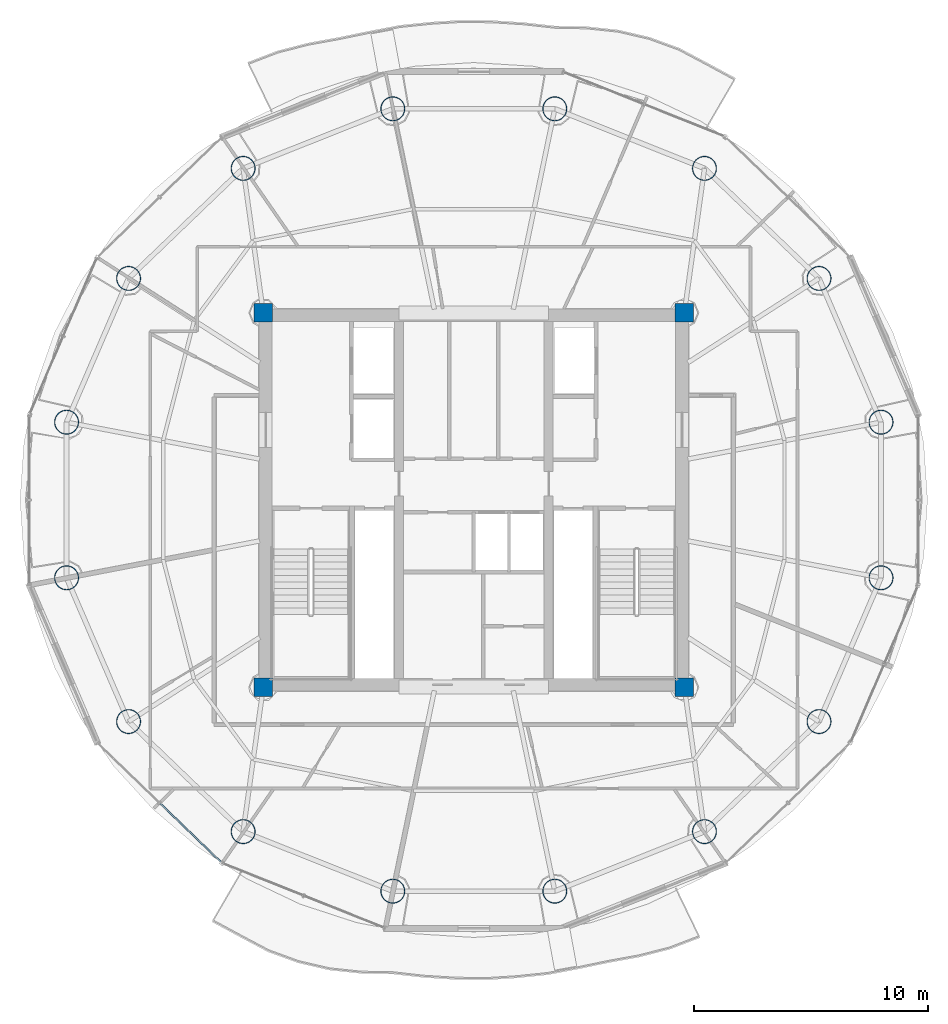
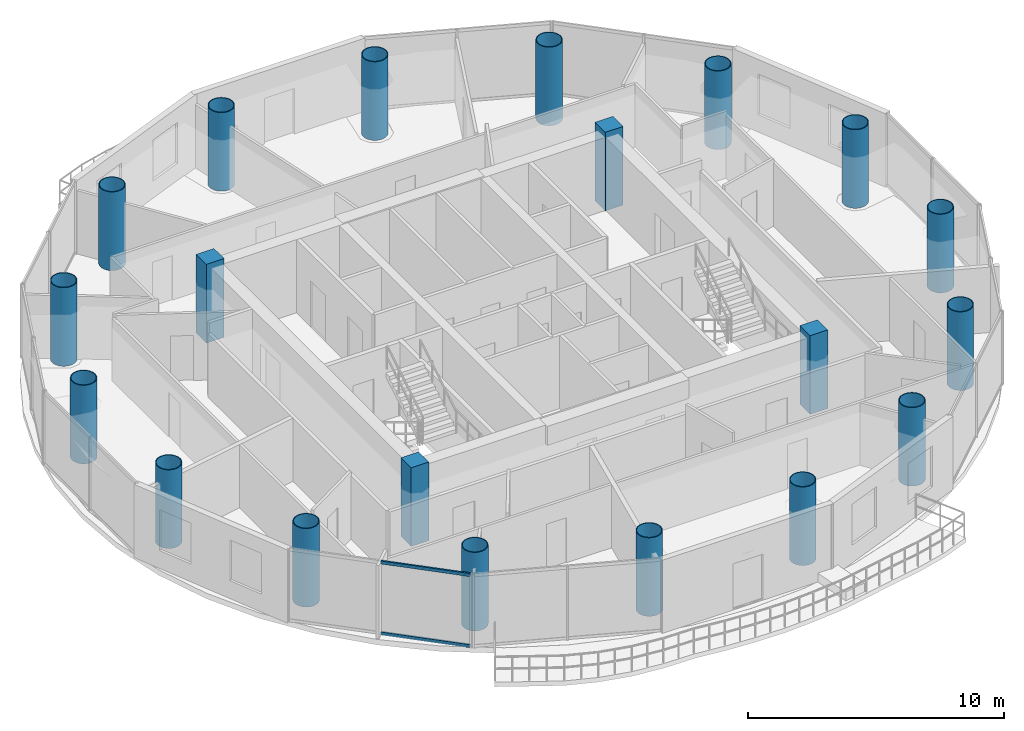
# One storey, part 1 of 23: 20 columns, 2 members, 1 element without a shape of its own.
"""IFC4 building model written with IfcOpenShell, lengths in metres."""

from ifc_helpers import new_model, si_unit, direction, frame, origin, origin_2d, place, context, subcontext, project, spatial, rectangle, hollow_rectangle, hollow_circle, extrude, source, transform, mapped, material, material_profile, profile_set, type_object, element, aggregate, save


model = new_model("IFC4")

# Units and contexts
model_context = context("Model", 3, precision=1e-05, world=origin(), true_north=direction((-0.2419218956, 0.970295726276)))
body_context = subcontext(model_context, "Body", "Model", "MODEL_VIEW")
ifc_project = project(units=[si_unit("LENGTHUNIT", "METRE"), si_unit("AREAUNIT", "SQUARE_METRE"), si_unit("VOLUMEUNIT", "CUBIC_METRE"), si_unit("PLANEANGLEUNIT", "RADIAN"), si_unit("MASSUNIT", "GRAM", prefix="KILO")], contexts=[model_context])

# Site, building, storey
site_placement = place(None, origin())
site = spatial("IfcSite", under=ifc_project, at=site_placement, CompositionType="ELEMENT")
building_placement = place(site_placement, origin())
building = spatial("IfcBuilding", under=site, at=building_placement, Name="Cobrevalo Terracotta Tower", CompositionType="ELEMENT")
storey_placement = place(building_placement, frame((0.0, 0.0, 251.949951171875)))
storey = spatial("IfcBuildingStorey", under=building, at=storey_placement, Name="L66", CompositionType="ELEMENT", Elevation=251.949951171875)

# Columns
ifc_material_1 = material(Name="Steel S355", Category="steel")
ifc_material_profile_1 = material_profile(ifc_material_1, hollow_circle(Radius=0.52490234375, WallThickness=0.034912109375, at=origin_2d()), Name="CHS 1050x35")
ifc_profile_set_1 = profile_set([ifc_material_profile_1], Name="Steel S355")
column_type_1 = type_object("IfcColumnType", Name="Structural Column CHS 1050x35 (Steel S355)", PredefinedType="COLUMN", material=ifc_profile_set_1)
for number, where, z_axis, x_axis, name in (
    (1, (55.408935546875, 30.126220703125, 0.0), (0.0, 0.0, 1.0), (1.0, 0.0, 0.0), "L66 composite megacolumn MC01"),
    (2, (52.758544921875, 36.2724609375, 0.0), (0.0, 0.0, 1.0), (1.0, 0.0, 0.0), "L66 composite megacolumn MC02"),
    (3, (47.861328125, 40.9765625, 0.0), (0.0, 0.0, 1.0), (1.0, 0.0, 0.0), "L66 composite megacolumn MC03"),
    (4, (41.462890625, 43.5224609375, 0.0), (0.0, 0.0, 1.0), (1.0, 0.0, 0.0), "L66 composite megacolumn MC04"),
    (5, (34.537109375, 43.5224609375, 0.0), (0.0, 0.0, 1.0), (1.0, 0.0, 0.0), "L66 composite megacolumn MC05"),
    (6, (28.138671875, 40.9765625, 0.0), (0.0, 0.0, 1.0), (1.0, 0.0, 0.0), "L66 composite megacolumn MC06"),
    (7, (23.241455078125, 36.2724609375, 0.0), (0.0, 0.0, 1.0), (1.0, 0.0, 0.0), "L66 composite megacolumn MC07"),
    (8, (20.591064453125, 30.126220703125, 0.0), (0.0, 0.0, 1.0), (1.0, 0.0, 0.0), "L66 composite megacolumn MC08"),
    (9, (20.591064453125, 23.4736328125, 0.0), (0.0, 0.0, 1.0), (1.0, 0.0, 0.0), "L66 composite megacolumn MC09"),
    (10, (23.241455078125, 17.32763671875, 0.0), (0.0, 0.0, 1.0), (1.0, 0.0, 0.0), "L66 composite megacolumn MC10"),
    (11, (28.138671875, 12.62353515625, 0.0), (0.0, 0.0, 1.0), (1.0, 0.0, 0.0), "L66 composite megacolumn MC11"),
    (12, (34.537109375, 10.07763671875, 0.0), (0.0, 0.0, 1.0), (1.0, 0.0, 0.0), "L66 composite megacolumn MC12"),
    (13, (41.462890625, 10.07763671875, 0.0), (0.0, 0.0, 1.0), (1.0, 0.0, 0.0), "L66 composite megacolumn MC13"),
    (14, (47.861328125, 12.62353515625, 0.0), (0.0, 0.0, 1.0), (1.0, 0.0, 0.0), "L66 composite megacolumn MC14"),
    (15, (52.758544921875, 17.32763671875, 0.0), (0.0, 0.0, 1.0), (1.0, 0.0, 0.0), "L66 composite megacolumn MC15"),
    (16, (55.408935546875, 23.4736328125, 0.0), (0.0, 0.0, 1.0), (1.0, 0.0, 0.0), "L66 composite megacolumn MC16"),
):
    element("IfcColumn", number, at=place(storey_placement, frame(where, z_axis=z_axis, x_axis=x_axis)), inside=storey, type_object=column_type_1, Name=name, PredefinedType="COLUMN", context=body_context, shape_type="SweptSolid", body=[
        extrude(hollow_circle(Radius=0.52490234375, WallThickness=0.034912109375, at=origin_2d()), origin(), (0.0, 0.0, 1.0), 3.75),
    ])
ifc_material_2 = material(Name="Concrete C50", Category="concrete")
ifc_material_profile_2 = material_profile(ifc_material_2, rectangle(XDim=0.800048828125, YDim=0.800048828125, at=origin_2d()), Name="RC COL 800x800")
ifc_profile_set_2 = profile_set([ifc_material_profile_2], Name="Concrete C50")
column_type_2 = type_object("IfcColumnType", Name="Structural Column RC COL 800x800 (Concrete C50)", PredefinedType="COLUMN", material=ifc_profile_set_2)
for number, where, z_axis, x_axis, name in (
    (17, (29.0, 18.800048828125, 0.0), (0.0, 0.0, 1.0), (1.0, 0.0, 0.0), "L66 core corner column CC1"),
    (18, (47.0, 18.800048828125, 0.0), (0.0, 0.0, 1.0), (1.0, 0.0, 0.0), "L66 core corner column CC2"),
    (19, (47.0, 34.800048828125, 0.0), (0.0, 0.0, 1.0), (1.0, 0.0, 0.0), "L66 core corner column CC3"),
    (20, (29.0, 34.800048828125, 0.0), (0.0, 0.0, 1.0), (1.0, 0.0, 0.0), "L66 core corner column CC4"),
):
    element("IfcColumn", number, at=place(storey_placement, frame(where, z_axis=z_axis, x_axis=x_axis)), inside=storey, type_object=column_type_2, Name=name, PredefinedType="COLUMN", context=body_context, shape_type="SweptSolid", body=[
        extrude(rectangle(XDim=0.800048828125, YDim=0.800048828125, at=origin_2d()), origin(), (0.0, 0.0, 1.0), 3.75),
    ])

# Curtain wall, members
ifc_material_3 = material(Name="Anodized aluminium", Category="aluminium")
curtain_wall_type = type_object("IfcCurtainWallType", Name="Upper-tower triple-glazed penthouse curtain wall CW-U3", PredefinedType="NOTDEFINED", material=ifc_material_3)
curtain_wall_placement = place(storey_placement, origin())
curtain_wall = element("IfcCurtainWall", 21, at=curtain_wall_placement, inside=storey, type_object=curtain_wall_type, Name="L66 curtain wall CW-L66-S10", PredefinedType="NOTDEFINED")
ifc_material_profile_3 = material_profile(ifc_material_3, hollow_rectangle(XDim=0.074951171875, YDim=0.14990234375, WallThickness=0.00439453125, at=origin_2d()), Name="CWT 75x150")
ifc_profile_set_3 = profile_set([ifc_material_profile_3], Name="Anodized aluminium")
member_type = type_object("IfcMemberType", Name="Tower unitised aluminium transom 75x150", PredefinedType="USERDEFINED", material=ifc_profile_set_3)
shared_shape = source(origin(), body_context, "Body", "SweptSolid", [
    extrude(hollow_rectangle(XDim=0.074951171875, YDim=0.14990234375, WallThickness=0.00439453125, at=origin_2d()), origin(), (0.0, 0.0, 1.0), 3.59130859375),
])
member_1_placement = place(storey_placement, frame((24.59521484375, 13.82421875, 0.050048828125), z_axis=(0.720005628362, -0.693968223427, 0.0), x_axis=(0.693968223427, 0.720005628362, 0.0)))
member_1 = element("IfcMember", 22, at=member_1_placement, type_object=member_type, Name="CW-L66-S10 transom B02-T1", ObjectType="TRANSOM", PredefinedType="USERDEFINED", context=body_context, shape_type="MappedRepresentation", body=[
    mapped(shared_shape, transform((0.0, 0.0, 0.0), scale=1.0)),
])
member_2_placement = place(storey_placement, frame((24.59521484375, 13.82421875, 3.43994140625), z_axis=(0.720005628362, -0.693968223427, 0.0), x_axis=(0.693968223427, 0.720005628362, 0.0)))
member_2 = element("IfcMember", 23, at=member_2_placement, type_object=member_type, Name="CW-L66-S10 transom B02-T2", ObjectType="TRANSOM", PredefinedType="USERDEFINED", context=body_context, shape_type="MappedRepresentation", body=[
    mapped(shared_shape, transform((0.0, 0.0, 0.0), scale=1.0)),
])
aggregate(curtain_wall, [member_1, member_2])

save(model, "model.ifc")
